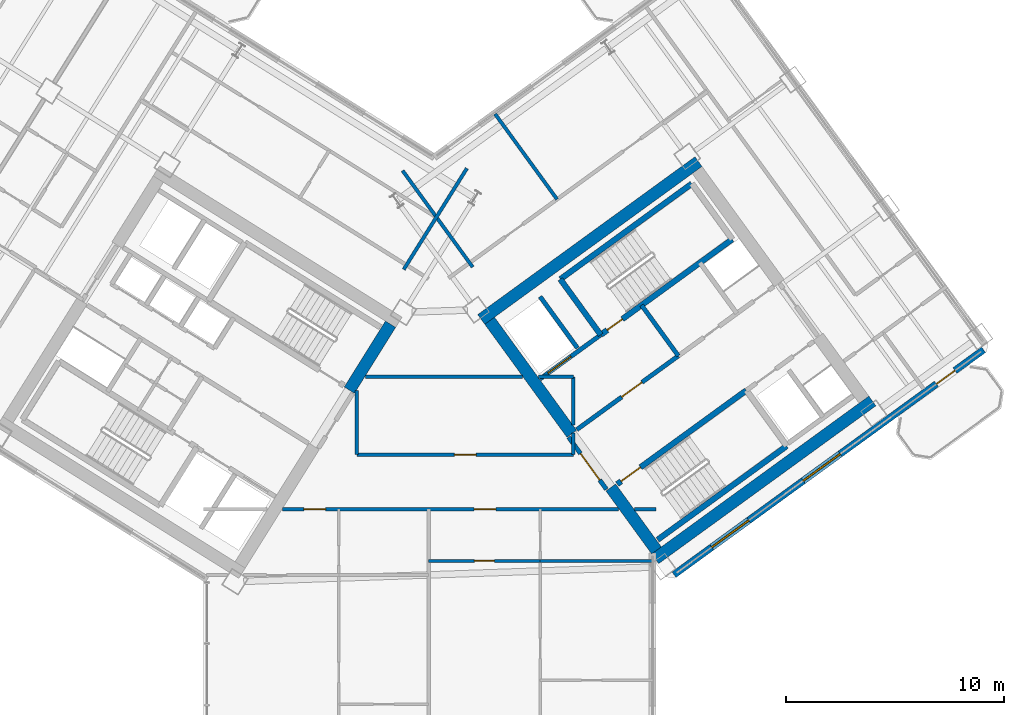
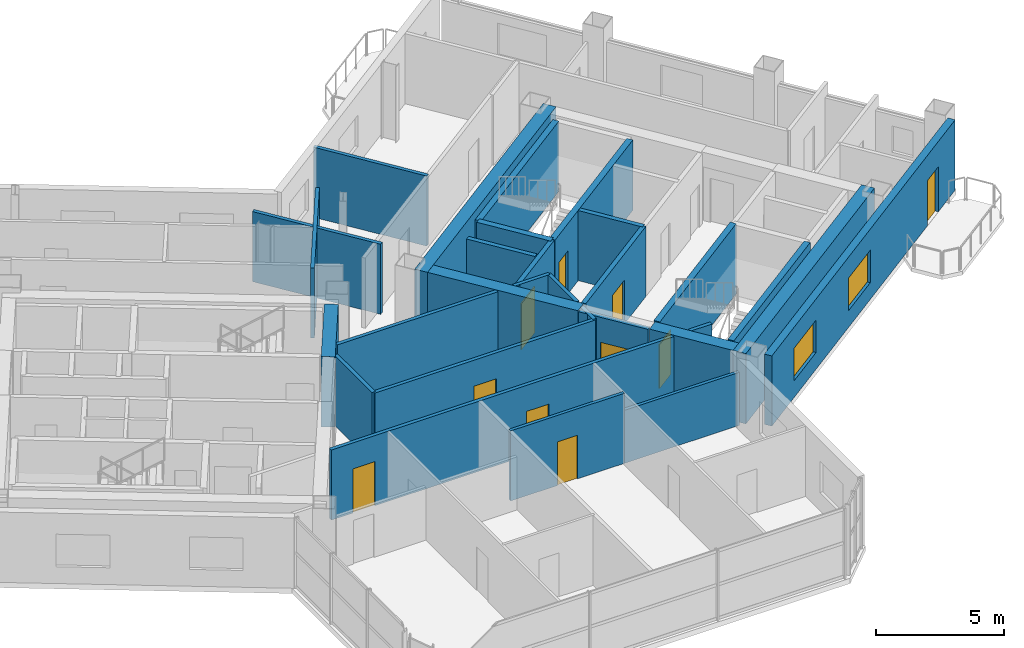
# One storey, part 14 of 21: 29 walls, 10 doors, 2 windows, 12 openings.
"""IFC4 building model written with IfcOpenShell, lengths in metres."""

from ifc_helpers import new_model, si_unit, direction, frame, frame_2d, origin, place, context, subcontext, project, spatial, rectangle, extrude, source, transform, mapped, material, layer, layer_set, type_object, element, fill, save


model = new_model("IFC4")

# Units and contexts
model_context = context("Model", 3, precision=1e-05, world=origin(), true_north=direction((0.0, 1.0)))
body_context = subcontext(model_context, "Body", "Model", "MODEL_VIEW")
ifc_project = project(units=[si_unit("LENGTHUNIT", "METRE"), si_unit("AREAUNIT", "SQUARE_METRE"), si_unit("VOLUMEUNIT", "CUBIC_METRE"), si_unit("PLANEANGLEUNIT", "RADIAN"), si_unit("MASSUNIT", "GRAM", prefix="KILO")], contexts=[model_context])

# Site, building, storey
site_placement = place(None, origin())
site = spatial("IfcSite", under=ifc_project, at=site_placement, CompositionType="ELEMENT")
building_placement = place(site_placement, origin())
building = spatial("IfcBuilding", under=site, at=building_placement, Name="Tlacorven Tower", CompositionType="ELEMENT")
storey_placement = place(building_placement, frame((0.0, 0.0, 112.5)))
storey = spatial("IfcBuildingStorey", under=building, at=storey_placement, Name="L28", CompositionType="ELEMENT", Elevation=112.5)

# Walls
ifc_material_1 = material(Name="Concrete C60/75", Category="concrete")
ifc_layer_1 = layer(ifc_material_1, 0.550048828125)
ifc_layer_set_1 = layer_set([ifc_layer_1], Name="Concrete C60/75")
wall_type_1 = type_object("IfcWallType", Name="WL-COR-550", PredefinedType="SHEAR", material=ifc_layer_set_1)
wall_1_placement = place(storey_placement, frame((40.194091796875, 23.92236328125, 0.0), z_axis=(0.0, 0.0, 1.0), x_axis=(-0.529888438328, -0.848067357541, 0.0)))
element("IfcWall", 1, at=wall_1_placement, inside=storey, type_object=wall_type_1, Name="L28 W core end wall E1.1", PredefinedType="SHEAR", context=body_context, shape_type="SweptSolid", body=[
    extrude(rectangle(XDim=3.574951171875, YDim=0.550048828125, at=frame_2d((1.78759765625, 0.0))), origin(), (0.0, 0.0, 1.0), 3.35009765625),
])
for number, where, z_axis, x_axis, name in (
    (2, (52.35888671875, 13.1396484375, 0.0), (0.0, 0.0, 1.0), (0.809014896919, 0.587788139183, 0.0), "L28 E core shear wall S1"),
    (3, (44.364990234375, 24.142333984375, 0.0), (0.0, 0.0, 1.0), (0.809024304885, 0.587775190107, 0.0), "L28 E core shear wall S2"),
):
    element("IfcWall", number, at=place(storey_placement, frame(where, z_axis=z_axis, x_axis=x_axis)), inside=storey, type_object=wall_type_1, Name=name, PredefinedType="SHEAR", context=body_context, shape_type="SweptSolid", body=[
        extrude(rectangle(XDim=12.340087890625, YDim=0.550048828125, at=frame_2d((6.169921875, 0.0))), origin(), (0.0, 0.0, 1.0), 3.35009765625),
    ])
wall_2_placement = place(storey_placement, frame((52.419677734375, 13.52392578125, 0.0), z_axis=(0.0, 0.0, 1.0), x_axis=(-0.587802113096, 0.809004744015, 0.0)))
element("IfcWall", 4, at=wall_2_placement, inside=storey, type_object=wall_type_1, Name="L28 E core end wall E1.1", PredefinedType="SHEAR", context=body_context, shape_type="SweptSolid", body=[
    extrude(rectangle(XDim=3.574951171875, YDim=0.550048828125, at=frame_2d((1.78759765625, 0.0))), origin(), (0.0, 0.0, 1.0), 3.35009765625),
])
wall_3_placement = place(storey_placement, frame((48.525634765625, 18.883544921875, 0.0), z_axis=(0.0, 0.0, 1.0), x_axis=(-0.587764933797, 0.809031756236, 0.0)))
element("IfcWall", 5, at=wall_3_placement, inside=storey, type_object=wall_type_1, Name="L28 E core end wall E1.2", PredefinedType="SHEAR", context=body_context, shape_type="SweptSolid", body=[
    extrude(rectangle(XDim=6.425048828125, YDim=0.550048828125, at=frame_2d((3.21240234375, 0.0))), origin(), (0.0, 0.0, 1.0), 3.35009765625),
])
ifc_material_2 = material(Name="Gypsum plasterboard acoustic partition", Category="gypsum")
ifc_layer_2 = layer(ifc_material_2, 0.159912109375)
ifc_layer_set_2 = layer_set([ifc_layer_2], Name="Gypsum plasterboard acoustic partition")
wall_type_2 = type_object("IfcWallType", Name="WL-DEM-160", PredefinedType="PARTITIONING", material=ifc_layer_set_2)
wall_4_placement = place(storey_placement, frame((43.70361328125, 31.086181640625, 0.0), z_axis=(0.0, 0.0, 1.0), x_axis=(-0.529906828443, -0.848055866774, 0.0)))
element("IfcWall", 6, at=wall_4_placement, inside=storey, type_object=wall_type_2, Name="L28 WC West Throat Wall", PredefinedType="PARTITIONING", context=body_context, shape_type="SweptSolid", body=[
    extrude(rectangle(XDim=5.479736328125, YDim=0.159912109375, at=frame_2d((2.73974609375, 0.0))), origin(), (0.0, 0.0, 1.0), 3.340087890625),
])

# Wall, openings, doors
wall_5_placement = place(storey_placement, frame((35.2373046875, 15.419921875, 0.0), z_axis=(0.0, 0.0, 1.0), x_axis=(1.0, 0.0, 0.0)))
wall_5 = element("IfcWall", 7, at=wall_5_placement, inside=storey, type_object=wall_type_2, Name="L28 Knuckle Corridor South Wall", PredefinedType="PARTITIONING", context=body_context, shape_type="SweptSolid", body=[
    extrude(rectangle(XDim=15.431640625, YDim=0.159912109375, at=frame_2d((7.7158203125, 0.0))), origin(), (0.0, 0.0, 1.0), 3.340087890625),
])
opening_1_placement = place(wall_5_placement, frame((0.968994140625, 0.0, 0.0)))
opening_1 = element("IfcOpeningElement", 8, at=opening_1_placement, cuts=wall_5, Name="Opening D11", PredefinedType="OPENING", context=body_context, shape_type="SweptSolid", body=[
    extrude(rectangle(XDim=1.0, YDim=2.10009765625, at=frame_2d((0.5, 1.050048828125))), frame((0.0, 0.08984375, 0.0), z_axis=(0.0, -1.0, 0.0), x_axis=(1.0, 0.0, 0.0)), (0.0, 0.0, 1.0), 0.179931640625),
])
opening_2_placement = place(wall_5_placement, frame((8.798583984375, 0.0, 0.0)))
opening_2 = element("IfcOpeningElement", 9, at=opening_2_placement, cuts=wall_5, Name="Opening D11", PredefinedType="OPENING", context=body_context, shape_type="SweptSolid", body=[
    extrude(rectangle(XDim=1.0, YDim=2.10009765625, at=frame_2d((0.5, 1.050048828125))), frame((0.0, 0.08984375, 0.0), z_axis=(0.0, -1.0, 0.0), x_axis=(1.0, 0.0, 0.0)), (0.0, 0.0, 1.0), 0.179931640625),
])
ifc_material_3 = material(Name="Fire-rated steel door assembly", Category="steel")
door_type_1 = type_object("IfcDoorType", Name="DR-FLT-FD60-1000", OperationType="NOTDEFINED", PredefinedType="DOOR", material=ifc_material_3)
shared_shape_1 = source(origin(), body_context, "Body", "SweptSolid", [
    extrude(rectangle(XDim=1.0, YDim=2.10009765625, at=frame_2d((0.5, 1.050048828125))), frame((0.0, 0.02490234375, 0.0), z_axis=(0.0, -1.0, 0.0), x_axis=(1.0, 0.0, 0.0)), (0.0, 0.0, 1.0), 0.050048828125),
])
door_1_placement = place(opening_1_placement, frame((1.0, 0.0, 0.0), z_axis=(0.0, 0.0, 1.0), x_axis=(-1.0, 0.0, 0.0)))
door_1 = element("IfcDoor", 10, at=door_1_placement, inside=storey, type_object=door_type_1, Name="L28 door 051", OperationType="SINGLE_SWING_RIGHT", OverallHeight=2.10009765625, OverallWidth=1.0, PredefinedType="DOOR", context=body_context, shape_type="MappedRepresentation", body=[
    mapped(shared_shape_1, transform((0.0, 0.0, 0.0), scale=1.0)),
])
fill(opening_1, door_1)
door_2_placement = place(opening_2_placement, frame((1.0, 0.0, 0.0), z_axis=(0.0, 0.0, 1.0), x_axis=(-1.0, 0.0, 0.0)))
door_2 = element("IfcDoor", 11, at=door_2_placement, inside=storey, type_object=door_type_1, Name="L28 door 056", OperationType="SINGLE_SWING_LEFT", OverallHeight=2.10009765625, OverallWidth=1.0, PredefinedType="DOOR", context=body_context, shape_type="MappedRepresentation", body=[
    mapped(shared_shape_1, transform((0.0, 0.0, 0.0), scale=1.0)),
])
fill(opening_2, door_2)

# Wall
wall_6_placement = place(storey_placement, frame((51.41552734375, 15.419921875, 0.0), z_axis=(0.0, 0.0, 1.0), x_axis=(1.0, 0.0, 0.0)))
element("IfcWall", 12, at=wall_6_placement, inside=storey, type_object=wall_type_2, Name="L28 Knuckle Corridor South Wall", PredefinedType="PARTITIONING", context=body_context, shape_type="SweptSolid", body=[
    extrude(rectangle(XDim=0.984375, YDim=0.159912109375, at=frame_2d((0.4921875, 0.0))), origin(), (0.0, 0.0, 1.0), 3.340087890625),
])

# Wall, opening, door
wall_7_placement = place(storey_placement, frame((38.64990234375, 17.929931640625, 0.0), z_axis=(0.0, 0.0, 1.0), x_axis=(1.0, 0.0, 0.0)))
wall_7 = element("IfcWall", 13, at=wall_7_placement, inside=storey, type_object=wall_type_2, Name="L28 partition 75", PredefinedType="PARTITIONING", context=body_context, shape_type="SweptSolid", body=[
    extrude(rectangle(XDim=9.9501953125, YDim=0.159912109375, at=frame_2d((4.97509765625, 0.0))), origin(), (0.0, 0.0, 1.0), 3.340087890625),
])
opening_3_placement = place(wall_7_placement, frame((4.47509765625, 0.0, 0.0)))
opening_3 = element("IfcOpeningElement", 14, at=opening_3_placement, cuts=wall_7, Name="Opening D11", PredefinedType="OPENING", context=body_context, shape_type="SweptSolid", body=[
    extrude(rectangle(XDim=1.0, YDim=2.10009765625, at=frame_2d((0.5, 1.050048828125))), frame((0.0, 0.08984375, 0.0), z_axis=(0.0, -1.0, 0.0), x_axis=(1.0, 0.0, 0.0)), (0.0, 0.0, 1.0), 0.179931640625),
])
door_3_placement = place(opening_3_placement, origin())
door_3 = element("IfcDoor", 15, at=door_3_placement, inside=storey, type_object=door_type_1, Name="L28 door 046", OperationType="SINGLE_SWING_LEFT", OverallHeight=2.10009765625, OverallWidth=1.0, PredefinedType="DOOR", context=body_context, shape_type="MappedRepresentation", body=[
    mapped(shared_shape_1, transform((0.0, 0.0, 0.0), scale=1.0)),
])
fill(opening_3, door_3)

# Walls
wall_8_placement = place(storey_placement, frame((38.64990234375, 17.929931640625, 0.0), z_axis=(0.0, 0.0, 1.0), x_axis=(0.0, 1.0, 0.0)))
element("IfcWall", 16, at=wall_8_placement, inside=storey, type_object=wall_type_2, Name="L28 partition 76", PredefinedType="PARTITIONING", context=body_context, shape_type="SweptSolid", body=[
    extrude(rectangle(XDim=2.951416015625, YDim=0.159912109375, at=frame_2d((1.4755859375, 0.0))), origin(), (0.0, 0.0, 1.0), 3.340087890625),
])
wall_9_placement = place(storey_placement, frame((48.60009765625, 17.929931640625, 0.0), z_axis=(0.0, 0.0, 1.0), x_axis=(0.0, 1.0, 0.0)))
element("IfcWall", 17, at=wall_9_placement, inside=storey, type_object=wall_type_2, Name="L28 partition 77", PredefinedType="PARTITIONING", context=body_context, shape_type="SweptSolid", body=[
    extrude(rectangle(XDim=0.99267578125, YDim=0.159912109375, at=frame_2d((0.496337890625, 0.0))), origin(), (0.0, 0.0, 1.0), 3.340087890625),
])
wall_10_placement = place(storey_placement, frame((48.60009765625, 19.295166015625, 0.0), z_axis=(0.0, 0.0, 1.0), x_axis=(0.0, 1.0, 0.0)))
element("IfcWall", 18, at=wall_10_placement, inside=storey, type_object=wall_type_2, Name="L28 partition 77", PredefinedType="PARTITIONING", context=body_context, shape_type="SweptSolid", body=[
    extrude(rectangle(XDim=2.204833984375, YDim=0.159912109375, at=frame_2d((1.1025390625, 0.0))), origin(), (0.0, 0.0, 1.0), 3.340087890625),
])
wall_11_placement = place(storey_placement, frame((39.03662109375, 21.5, 0.0), z_axis=(0.0, 0.0, 1.0), x_axis=(1.0, 0.0, 0.0)))
element("IfcWall", 19, at=wall_11_placement, inside=storey, type_object=wall_type_2, Name="L28 partition 78", PredefinedType="PARTITIONING", context=body_context, shape_type="SweptSolid", body=[
    extrude(rectangle(XDim=7.21484375, YDim=0.159912109375, at=frame_2d((3.607421875, 0.0))), origin(), (0.0, 0.0, 1.0), 3.340087890625),
])
wall_12_placement = place(storey_placement, frame((46.998046875, 21.5, 0.0), z_axis=(0.0, 0.0, 1.0), x_axis=(1.0, 0.0, 0.0)))
element("IfcWall", 20, at=wall_12_placement, inside=storey, type_object=wall_type_2, Name="L28 partition 78", PredefinedType="PARTITIONING", context=body_context, shape_type="SweptSolid", body=[
    extrude(rectangle(XDim=1.60205078125, YDim=0.159912109375, at=frame_2d((0.801025390625, 0.0))), origin(), (0.0, 0.0, 1.0), 3.340087890625),
])
wall_13_placement = place(storey_placement, frame((43.969482421875, 26.549560546875, 0.0), z_axis=(0.0, 0.0, 1.0), x_axis=(-0.587776919386, 0.80902304852, 0.0)))
element("IfcWall", 21, at=wall_13_placement, inside=storey, type_object=wall_type_2, Name="L28 EC West Throat Wall", PredefinedType="PARTITIONING", context=body_context, shape_type="SweptSolid", body=[
    extrude(rectangle(XDim=5.47998046875, YDim=0.159912109375, at=frame_2d((2.739990234375, 0.0))), origin(), (0.0, 0.0, 1.0), 3.340087890625),
])
wall_14_placement = place(storey_placement, frame((47.849365234375, 29.6650390625, 0.0), z_axis=(0.0, 0.0, 1.0), x_axis=(-0.587785532001, 0.809016791155, 0.0)))
element("IfcWall", 22, at=wall_14_placement, inside=storey, type_object=wall_type_2, Name="L28 EC Demising Wall 1", PredefinedType="PARTITIONING", context=body_context, shape_type="SweptSolid", body=[
    extrude(rectangle(XDim=4.85009765625, YDim=0.159912109375, at=frame_2d((2.425048828125, 0.0))), origin(), (0.0, 0.0, 1.0), 3.340087890625),
])

# Wall, openings, door, windows
ifc_material_4 = material(Name="Precast concrete C45/55", Category="concrete")
ifc_layer_3 = layer(ifc_material_4, 0.320068359375)
ifc_layer_set_3 = layer_set([ifc_layer_3], Name="Precast concrete C45/55")
wall_type_3 = type_object("IfcWallType", Name="WL-EXT-320", PredefinedType="STANDARD", material=ifc_layer_set_3)
wall_15_placement = place(storey_placement, frame((67.45361328125, 22.746826171875, 0.0), z_axis=(0.0, 0.0, 1.0), x_axis=(-0.809021120468, -0.587779573171, 0.0)))
wall_15 = element("IfcWall", 23, at=wall_15_placement, inside=storey, type_object=wall_type_3, Name="L28 Masonry-Frame Recessed Facade Wall 6", PredefinedType="STANDARD", context=body_context, shape_type="SweptSolid", body=[
    extrude(rectangle(XDim=17.587646484375, YDim=0.320068359375, at=frame_2d((8.7939453125, 0.0))), origin(), (0.0, 0.0, 1.0), 3.35009765625),
])
opening_4_placement = place(wall_15_placement, frame((1.623779296875, 0.0, 0.0)))
opening_4 = element("IfcOpeningElement", 24, at=opening_4_placement, cuts=wall_15, Name="Opening D06", PredefinedType="OPENING", context=body_context, shape_type="SweptSolid", body=[
    extrude(rectangle(XDim=1.050048828125, YDim=2.14990234375, at=frame_2d((0.52490234375, 1.074951171875))), frame((0.0, 0.169921875, 0.0), z_axis=(0.0, -1.0, 0.0), x_axis=(1.0, 0.0, 0.0)), (0.0, 0.0, 1.0), 0.340087890625),
])
opening_5_placement = place(wall_15_placement, frame((8.143798828125, 0.0, 0.800048828125)))
opening_5 = element("IfcOpeningElement", 25, at=opening_5_placement, cuts=wall_15, Name="Opening WN04", PredefinedType="OPENING", context=body_context, shape_type="SweptSolid", body=[
    extrude(rectangle(XDim=2.10009765625, YDim=1.550048828125, at=frame_2d((1.050048828125, 0.77490234375))), frame((0.0, 0.169921875, 0.0), z_axis=(0.0, -1.0, 0.0), x_axis=(1.0, 0.0, 0.0)), (0.0, 0.0, 1.0), 0.340087890625),
])
opening_6_placement = place(wall_15_placement, frame((13.34375, 0.0, 0.800048828125)))
opening_6 = element("IfcOpeningElement", 26, at=opening_6_placement, cuts=wall_15, Name="Opening WN04", PredefinedType="OPENING", context=body_context, shape_type="SweptSolid", body=[
    extrude(rectangle(XDim=2.10009765625, YDim=1.550048828125, at=frame_2d((1.050048828125, 0.77490234375))), frame((0.0, 0.169921875, 0.0), z_axis=(0.0, -1.0, 0.0), x_axis=(1.0, 0.0, 0.0)), (0.0, 0.0, 1.0), 0.340087890625),
])
ifc_material_5 = material(Name="Powder-coated aluminium and timber door", Category="wood")
door_type_2 = type_object("IfcDoorType", Name="DR-EXT-BALC-1050", OperationType="NOTDEFINED", PredefinedType="DOOR", material=ifc_material_5)
shared_shape_2 = source(origin(), body_context, "Body", "SweptSolid", [
    extrude(rectangle(XDim=1.050048828125, YDim=2.14990234375, at=frame_2d((0.52490234375, 1.074951171875))), frame((0.0, 0.02490234375, 0.0), z_axis=(0.0, -1.0, 0.0), x_axis=(1.0, 0.0, 0.0)), (0.0, 0.0, 1.0), 0.050048828125),
])
door_4_placement = place(opening_4_placement, origin())
door_4 = element("IfcDoor", 27, at=door_4_placement, inside=storey, type_object=door_type_2, Name="L28 Outdoor Access Door BAL-L28-E-OUT", OperationType="SINGLE_SWING_LEFT", OverallHeight=2.14990234375, OverallWidth=1.050048828125, PredefinedType="DOOR", context=body_context, shape_type="MappedRepresentation", body=[
    mapped(shared_shape_2, transform((0.0, 0.0, 0.0), scale=1.0)),
])
fill(opening_4, door_4)
ifc_material_6 = material(Name="Dark solar low-E double glazing in anodised aluminium frame", Category="aluminium")
window_type = type_object("IfcWindowType", Name="WN-APT-2100X1750", PartitioningType="SINGLE_PANEL", PredefinedType="WINDOW", material=ifc_material_6)
shared_shape_3 = source(origin(), body_context, "Body", "SweptSolid", [
    extrude(rectangle(XDim=2.10009765625, YDim=1.550048828125, at=frame_2d((1.050048828125, 0.77490234375))), frame((0.0, 0.030029296875, 0.0), z_axis=(0.0, -1.0, 0.0), x_axis=(1.0, 0.0, 0.0)), (0.0, 0.0, 1.0), 0.06005859375),
])
window_1_placement = place(opening_5_placement, origin())
window_1 = element("IfcWindow", 28, at=window_1_placement, inside=storey, type_object=window_type, Name="L28 Recessed Masonry-Frame Window L28-06.1", OverallHeight=1.550048828125, OverallWidth=2.10009765625, PartitioningType="SINGLE_PANEL", PredefinedType="WINDOW", context=body_context, shape_type="MappedRepresentation", body=[
    mapped(shared_shape_3, transform((0.0, 0.0, 0.0), scale=1.0)),
])
fill(opening_5, window_1)
window_2_placement = place(opening_6_placement, origin())
window_2 = element("IfcWindow", 29, at=window_2_placement, inside=storey, type_object=window_type, Name="L28 Recessed Masonry-Frame Window L28-06.2", OverallHeight=1.550048828125, OverallWidth=2.10009765625, PartitioningType="SINGLE_PANEL", PredefinedType="WINDOW", context=body_context, shape_type="MappedRepresentation", body=[
    mapped(shared_shape_3, transform((0.0, 0.0, 0.0), scale=1.0)),
])
fill(opening_6, window_2)

# Wall, opening, door
ifc_material_7 = material(Name="Moisture-resistant gypsum plumbing wall", Category="gypsum")
ifc_layer_4 = layer(ifc_material_7, 0.139892578125)
ifc_layer_set_4 = layer_set([ifc_layer_4], Name="Moisture-resistant gypsum plumbing wall")
wall_type_4 = type_object("IfcWallType", Name="WL-PLM-140", PredefinedType="PLUMBINGWALL", material=ifc_layer_set_4)
wall_16_placement = place(storey_placement, frame((41.949951171875, 13.0400390625, 0.0), z_axis=(0.0, 0.0, 1.0), x_axis=(1.0, 0.0, 0.0)))
wall_16 = element("IfcWall", 30, at=wall_16_placement, inside=storey, type_object=wall_type_4, Name="L28 partition 86", PredefinedType="PLUMBINGWALL", context=body_context, shape_type="SweptSolid", body=[
    extrude(rectangle(XDim=5.1220703125, YDim=0.139892578125, at=frame_2d((2.56103515625, 0.0))), origin(), (0.0, 0.0, 1.0), 3.340087890625),
])
opening_7_placement = place(wall_16_placement, frame((2.10107421875, 0.0, 0.0)))
opening_7 = element("IfcOpeningElement", 31, at=opening_7_placement, cuts=wall_16, Name="Opening D12", PredefinedType="OPENING", context=body_context, shape_type="SweptSolid", body=[
    extrude(rectangle(XDim=0.919921875, YDim=2.080078125, at=frame_2d((0.4599609375, 1.0400390625))), frame((0.0, 0.080078125, 0.0), z_axis=(0.0, -1.0, 0.0), x_axis=(1.0, 0.0, 0.0)), (0.0, 0.0, 1.0), 0.159912109375),
])
door_type_3 = type_object("IfcDoorType", Name="DR-INT-ROOM-0920", OperationType="NOTDEFINED", PredefinedType="DOOR", material=ifc_material_5)
shared_shape_4 = source(origin(), body_context, "Body", "SweptSolid", [
    extrude(rectangle(XDim=0.919921875, YDim=2.080078125, at=frame_2d((0.4599609375, 1.0400390625))), frame((0.0, 0.02490234375, 0.0), z_axis=(0.0, -1.0, 0.0), x_axis=(1.0, 0.0, 0.0)), (0.0, 0.0, 1.0), 0.050048828125),
])
door_5_placement = place(opening_7_placement, frame((0.919921875, 0.0, 0.0), z_axis=(0.0, 0.0, 1.0), x_axis=(-1.0, 0.0, 0.0)))
door_5 = element("IfcDoor", 32, at=door_5_placement, inside=storey, type_object=door_type_3, Name="L28 door 057", OperationType="SINGLE_SWING_RIGHT", OverallHeight=2.080078125, OverallWidth=0.919921875, PredefinedType="DOOR", context=body_context, shape_type="MappedRepresentation", body=[
    mapped(shared_shape_4, transform((0.0, 0.0, 0.0), scale=1.0)),
])
fill(opening_7, door_5)

# Wall
wall_17_placement = place(storey_placement, frame((47.072021484375, 13.0400390625, 0.0), z_axis=(0.0, 0.0, 1.0), x_axis=(1.0, 0.0, 0.0)))
element("IfcWall", 33, at=wall_17_placement, inside=storey, type_object=wall_type_4, Name="L28 partition 87", PredefinedType="PLUMBINGWALL", context=body_context, shape_type="SweptSolid", body=[
    extrude(rectangle(XDim=5.18798828125, YDim=0.139892578125, at=frame_2d((2.593994140625, 0.0))), origin(), (0.0, 0.0, 1.0), 2.52490234375),
])

# Wall, opening, door
ifc_material_8 = material(Name="Concrete C40/50", Category="concrete")
ifc_layer_5 = layer(ifc_material_8, 0.199951171875)
ifc_layer_set_5 = layer_set([ifc_layer_5], Name="Concrete C40/50")
wall_type_5 = type_object("IfcWallType", Name="WL-SHF-200", PredefinedType="STANDARD", material=ifc_layer_set_5)
wall_18_placement = place(storey_placement, frame((47.0654296875, 21.4072265625, 0.0), z_axis=(0.0, 0.0, 1.0), x_axis=(0.809032984992, 0.587763242466, 0.0)))
wall_18 = element("IfcWall", 34, at=wall_18_placement, inside=storey, type_object=wall_type_5, Name="L28 Core E Firefighting Lift Shaft Front Wall", PredefinedType="STANDARD", context=body_context, shape_type="SweptSolid", body=[
    extrude(rectangle(XDim=3.447998046875, YDim=0.199951171875, at=frame_2d((1.72412109375, 0.0))), origin(), (0.0, 0.0, 1.0), 3.340087890625),
])
opening_8_placement = place(wall_18_placement, frame((0.4580078125, 0.0, 0.0)))
opening_8 = element("IfcOpeningElement", 35, at=opening_8_placement, cuts=wall_18, Name="Opening LD03", PredefinedType="OPENING", context=body_context, shape_type="SweptSolid", body=[
    extrude(rectangle(XDim=1.300048828125, YDim=2.199951171875, at=frame_2d((0.64990234375, 1.10009765625))), frame((0.0, 0.10986328125, 0.0), z_axis=(0.0, -1.0, 0.0), x_axis=(1.0, 0.0, 0.0)), (0.0, 0.0, 1.0), 0.219970703125),
])
door_type_4 = type_object("IfcDoorType", Name="DR-LFT-SLID-1300", OperationType="DOUBLE_DOOR_SLIDING", PredefinedType="DOOR", material=ifc_material_3)
shared_shape_5 = source(origin(), body_context, "Body", "SweptSolid", [
    extrude(rectangle(XDim=1.300048828125, YDim=2.199951171875, at=frame_2d((0.64990234375, 1.10009765625))), frame((0.0, 0.02490234375, 0.0), z_axis=(0.0, -1.0, 0.0), x_axis=(1.0, 0.0, 0.0)), (0.0, 0.0, 1.0), 0.050048828125),
])
door_6_placement = place(opening_8_placement, origin())
door_6 = element("IfcDoor", 36, at=door_6_placement, inside=storey, type_object=door_type_4, Name="L28 Lift FFL-E1 Sliding Landing Door", OperationType="DOUBLE_DOOR_SLIDING", OverallHeight=2.199951171875, OverallWidth=1.300048828125, PredefinedType="DOOR", context=body_context, shape_type="MappedRepresentation", body=[
    mapped(shared_shape_5, transform((0.0, 0.0, 0.0), scale=1.0)),
])
fill(opening_8, door_6)

wall_19_placement = place(storey_placement, frame((48.75830078125, 19.0771484375, 0.0), z_axis=(0.0, 0.0, 1.0), x_axis=(0.809005065155, 0.587801671104, 0.0)))
wall_19 = element("IfcWall", 37, at=wall_19_placement, inside=storey, type_object=wall_type_5, Name="L28 Core E Smoke Lobby Wall", PredefinedType="STANDARD", context=body_context, shape_type="SweptSolid", body=[
    extrude(rectangle(XDim=5.767822265625, YDim=0.199951171875, at=frame_2d((2.8837890625, 0.0))), origin(), (0.0, 0.0, 1.0), 3.340087890625),
])
opening_9_placement = place(wall_19_placement, frame((2.548095703125, 0.0, 0.0)))
opening_9 = element("IfcOpeningElement", 38, at=opening_9_placement, cuts=wall_19, Name="Opening D09", PredefinedType="OPENING", context=body_context, shape_type="SweptSolid", body=[
    extrude(rectangle(XDim=1.14990234375, YDim=2.10009765625, at=frame_2d((0.574951171875, 1.050048828125))), frame((0.0, 0.10986328125, 0.0), z_axis=(0.0, -1.0, 0.0), x_axis=(1.0, 0.0, 0.0)), (0.0, 0.0, 1.0), 0.219970703125),
])
door_type_5 = type_object("IfcDoorType", Name="DR-FFL-FD60-1150", OperationType="NOTDEFINED", PredefinedType="DOOR", material=ifc_material_3)
shared_shape_6 = source(origin(), body_context, "Body", "SweptSolid", [
    extrude(rectangle(XDim=1.14990234375, YDim=2.10009765625, at=frame_2d((0.574951171875, 1.050048828125))), frame((0.0, 0.02490234375, 0.0), z_axis=(0.0, -1.0, 0.0), x_axis=(1.0, 0.0, 0.0)), (0.0, 0.0, 1.0), 0.050048828125),
])
door_7_placement = place(opening_9_placement, origin())
door_7 = element("IfcDoor", 39, at=door_7_placement, inside=storey, type_object=door_type_5, Name="L28 Firefighting Lobby E Fire Door", OperationType="SINGLE_SWING_RIGHT", OverallHeight=2.10009765625, OverallWidth=1.14990234375, PredefinedType="DOOR", context=body_context, shape_type="MappedRepresentation", body=[
    mapped(shared_shape_6, transform((0.0, 0.0, 0.0), scale=1.0)),
])
fill(opening_9, door_7)

# Walls
wall_20_placement = place(storey_placement, frame((48.78564453125, 22.830078125, 0.0), z_axis=(0.0, 0.0, 1.0), x_axis=(-0.587783856777, 0.809018008275, 0.0)))
element("IfcWall", 40, at=wall_20_placement, inside=storey, type_object=wall_type_5, Name="L28 partition 36", PredefinedType="STANDARD", context=body_context, shape_type="SweptSolid", body=[
    extrude(rectangle(XDim=2.919921875, YDim=0.199951171875, at=frame_2d((1.4599609375, 0.0))), origin(), (0.0, 0.0, 1.0), 3.340087890625),
])
wall_21_placement = place(storey_placement, frame((53.424560546875, 22.467529296875, 0.0), z_axis=(0.0, 0.0, 1.0), x_axis=(-0.5877230039, 0.809062216821, 0.0)))
element("IfcWall", 41, at=wall_21_placement, inside=storey, type_object=wall_type_5, Name="L28 partition 41", PredefinedType="STANDARD", context=body_context, shape_type="SweptSolid", body=[
    extrude(rectangle(XDim=2.8798828125, YDim=0.199951171875, at=frame_2d((1.43994140625, 0.0))), origin(), (0.0, 0.0, 1.0), 3.340087890625),
])

# Wall, opening, door
wall_22_placement = place(storey_placement, frame((50.119140625, 16.3330078125, 0.0), z_axis=(0.0, 0.0, 1.0), x_axis=(-0.587749856981, 0.809042709391, 0.0)))
wall_22 = element("IfcWall", 42, at=wall_22_placement, inside=storey, type_object=wall_type_5, Name="L28 partition 79", PredefinedType="STANDARD", context=body_context, shape_type="SweptSolid", body=[
    extrude(rectangle(XDim=2.9599609375, YDim=0.199951171875, at=frame_2d((1.47998046875, 0.0))), origin(), (0.0, 0.0, 1.0), 3.340087890625),
])
opening_10_placement = place(wall_22_placement, frame((0.530029296875, 0.0, 0.0)))
opening_10 = element("IfcOpeningElement", 43, at=opening_10_placement, cuts=wall_22, Name="Opening D10", PredefinedType="OPENING", context=body_context, shape_type="SweptSolid", body=[
    extrude(rectangle(XDim=1.5, YDim=2.14990234375, at=frame_2d((0.75, 1.074951171875))), frame((0.0, 0.10986328125, 0.0), z_axis=(0.0, -1.0, 0.0), x_axis=(1.0, 0.0, 0.0)), (0.0, 0.0, 1.0), 0.219970703125),
])
door_type_6 = type_object("IfcDoorType", Name="DR-LOB-FD60-1500", OperationType="DOUBLE_DOOR_SINGLE_SWING", PredefinedType="DOOR", material=ifc_material_3)
shared_shape_7 = source(origin(), body_context, "Body", "SweptSolid", [
    extrude(rectangle(XDim=1.5, YDim=2.14990234375, at=frame_2d((0.75, 1.074951171875))), frame((0.0, 0.02490234375, 0.0), z_axis=(0.0, -1.0, 0.0), x_axis=(1.0, 0.0, 0.0)), (0.0, 0.0, 1.0), 0.050048828125),
])
door_8_placement = place(opening_10_placement, frame((1.5, 0.0, 0.0), z_axis=(0.0, 0.0, 1.0), x_axis=(-1.0, 0.0, 0.0)))
door_8 = element("IfcDoor", 44, at=door_8_placement, inside=storey, type_object=door_type_6, Name="L28 door 048", OperationType="DOUBLE_DOOR_SINGLE_SWING", OverallHeight=2.14990234375, OverallWidth=1.5, PredefinedType="DOOR", context=body_context, shape_type="MappedRepresentation", body=[
    mapped(shared_shape_7, transform((0.0, 0.0, 0.0), scale=1.0)),
])
fill(opening_10, door_8)

# Wall
ifc_material_9 = material(Name="Concrete C50/60", Category="concrete")
ifc_layer_6 = layer(ifc_material_9, 0.260009765625)
ifc_layer_set_6 = layer_set([ifc_layer_6], Name="Concrete C50/60")
wall_type_6 = type_object("IfcWallType", Name="WL-STW-260", PredefinedType="SHEAR", material=ifc_layer_set_6)
wall_23_placement = place(storey_placement, frame((48.005615234375, 25.996337890625, 0.0), z_axis=(0.0, 0.0, 1.0), x_axis=(0.80901903764, 0.587782439969, 0.0)))
element("IfcWall", 45, at=wall_23_placement, inside=storey, type_object=wall_type_6, Name="L28 Stair E1 Far Shear Wall", PredefinedType="SHEAR", context=body_context, shape_type="SweptSolid", body=[
    extrude(rectangle(XDim=7.4599609375, YDim=0.260009765625, at=frame_2d((3.72998046875, 0.0))), origin(), (0.0, 0.0, 1.0), 3.35009765625),
])

# Wall, opening, door
wall_24_placement = place(storey_placement, frame((49.863037109375, 23.439697265625, 0.0), z_axis=(0.0, 0.0, 1.0), x_axis=(0.809003474932, 0.587803859759, 0.0)))
wall_24 = element("IfcWall", 46, at=wall_24_placement, inside=storey, type_object=wall_type_6, Name="L28 Stair E1 Lobby Shear Wall", PredefinedType="SHEAR", context=body_context, shape_type="SweptSolid", body=[
    extrude(rectangle(XDim=7.4599609375, YDim=0.260009765625, at=frame_2d((3.72998046875, 0.0))), origin(), (0.0, 0.0, 1.0), 3.35009765625),
])
opening_11_placement = place(wall_24_placement, frame((0.360107421875, 0.0, 0.0)))
opening_11 = element("IfcOpeningElement", 47, at=opening_11_placement, cuts=wall_24, Name="Opening D19", PredefinedType="OPENING", context=body_context, shape_type="SweptSolid", body=[
    extrude(rectangle(XDim=0.860107421875, YDim=2.050048828125, at=frame_2d((0.43017578125, 1.02490234375))), frame((0.0, 0.14013671875, 0.0), z_axis=(0.0, -1.0, 0.0), x_axis=(1.0, 0.0, 0.0)), (0.0, 0.0, 1.0), 0.280029296875),
])
door_type_7 = type_object("IfcDoorType", Name="DR-RSR-FD60-0860", OperationType="NOTDEFINED", PredefinedType="DOOR", material=ifc_material_3)
shared_shape_8 = source(origin(), body_context, "Body", "SweptSolid", [
    extrude(rectangle(XDim=0.860107421875, YDim=2.050048828125, at=frame_2d((0.43017578125, 1.02490234375))), frame((0.0, 0.02490234375, 0.0), z_axis=(0.0, -1.0, 0.0), x_axis=(1.0, 0.0, 0.0)), (0.0, 0.0, 1.0), 0.050048828125),
])
door_9_placement = place(opening_11_placement, frame((0.860107421875, 0.0, 0.0), z_axis=(0.0, 0.0, 1.0), x_axis=(-1.0, 0.0, 0.0)))
door_9 = element("IfcDoor", 48, at=door_9_placement, inside=storey, type_object=door_type_7, Name="L28 Exit Stair E1 Fire Door", OperationType="SINGLE_SWING_LEFT", OverallHeight=2.050048828125, OverallWidth=0.860107421875, PredefinedType="DOOR", context=body_context, shape_type="MappedRepresentation", body=[
    mapped(shared_shape_8, transform((0.0, 0.0, 0.0), scale=1.0)),
])
fill(opening_11, door_9)

# Walls
wall_25_placement = place(storey_placement, frame((49.85498046875, 23.433837890625, 0.0), z_axis=(0.0, 0.0, 1.0), x_axis=(-0.58776738483, 0.809029975545, 0.0)))
element("IfcWall", 49, at=wall_25_placement, inside=storey, type_object=wall_type_6, Name="L28 Stair E1 West Shear Wall", PredefinedType="SHEAR", context=body_context, shape_type="SweptSolid", body=[
    extrude(rectangle(XDim=3.16015625, YDim=0.260009765625, at=frame_2d((1.580078125, 0.0))), origin(), (0.0, 0.0, 1.0), 3.35009765625),
])
wall_26_placement = place(storey_placement, frame((52.47216796875, 14.01318359375, 0.0), z_axis=(0.0, 0.0, 1.0), x_axis=(0.809028366311, 0.587769599847, 0.0)))
element("IfcWall", 50, at=wall_26_placement, inside=storey, type_object=wall_type_6, Name="L28 Stair E2 Far Shear Wall", PredefinedType="SHEAR", context=body_context, shape_type="SweptSolid", body=[
    extrude(rectangle(XDim=7.330078125, YDim=0.260009765625, at=frame_2d((3.6650390625, 0.0))), origin(), (0.0, 0.0, 1.0), 3.35009765625),
])

# Wall, opening, door
wall_27_placement = place(storey_placement, frame((50.61474609375, 16.569580078125, 0.0), z_axis=(0.0, 0.0, 1.0), x_axis=(0.809028366311, 0.587769599847, 0.0)))
wall_27 = element("IfcWall", 51, at=wall_27_placement, inside=storey, type_object=wall_type_6, Name="L28 Stair E2 Lobby Shear Wall", PredefinedType="SHEAR", context=body_context, shape_type="SweptSolid", body=[
    extrude(rectangle(XDim=7.330078125, YDim=0.260009765625, at=frame_2d((3.6650390625, 0.0))), origin(), (0.0, 0.0, 1.0), 3.35009765625),
])
opening_12_placement = place(wall_27_placement, frame((0.219970703125, 0.0, 0.0)))
opening_12 = element("IfcOpeningElement", 52, at=opening_12_placement, cuts=wall_27, Name="Opening D07", PredefinedType="OPENING", context=body_context, shape_type="SweptSolid", body=[
    extrude(rectangle(XDim=1.10009765625, YDim=2.10009765625, at=frame_2d((0.550048828125, 1.050048828125))), frame((0.0, 0.14013671875, 0.0), z_axis=(0.0, -1.0, 0.0), x_axis=(1.0, 0.0, 0.0)), (0.0, 0.0, 1.0), 0.280029296875),
])
door_type_8 = type_object("IfcDoorType", Name="DR-STR-FD90-1100", OperationType="NOTDEFINED", PredefinedType="DOOR", material=ifc_material_3)
shared_shape_9 = source(origin(), body_context, "Body", "SweptSolid", [
    extrude(rectangle(XDim=1.10009765625, YDim=2.10009765625, at=frame_2d((0.550048828125, 1.050048828125))), frame((0.0, 0.02490234375, 0.0), z_axis=(0.0, -1.0, 0.0), x_axis=(1.0, 0.0, 0.0)), (0.0, 0.0, 1.0), 0.050048828125),
])
door_10_placement = place(opening_12_placement, origin())
door_10 = element("IfcDoor", 53, at=door_10_placement, inside=storey, type_object=door_type_8, Name="L28 Exit Stair E2 Fire Door", OperationType="SINGLE_SWING_LEFT", OverallHeight=2.10009765625, OverallWidth=1.10009765625, PredefinedType="DOOR", context=body_context, shape_type="MappedRepresentation", body=[
    mapped(shared_shape_9, transform((0.0, 0.0, 0.0), scale=1.0)),
])
fill(opening_12, door_10)

save(model, "model.ifc")
